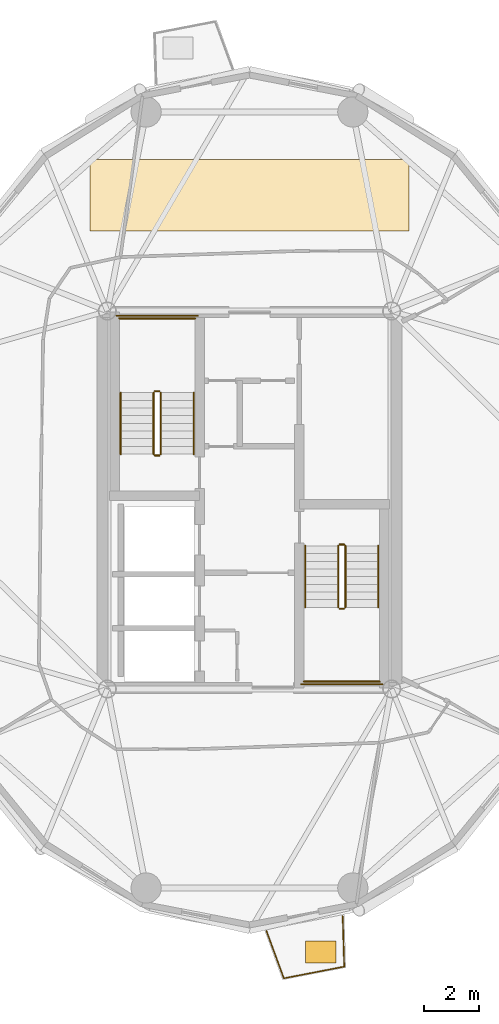
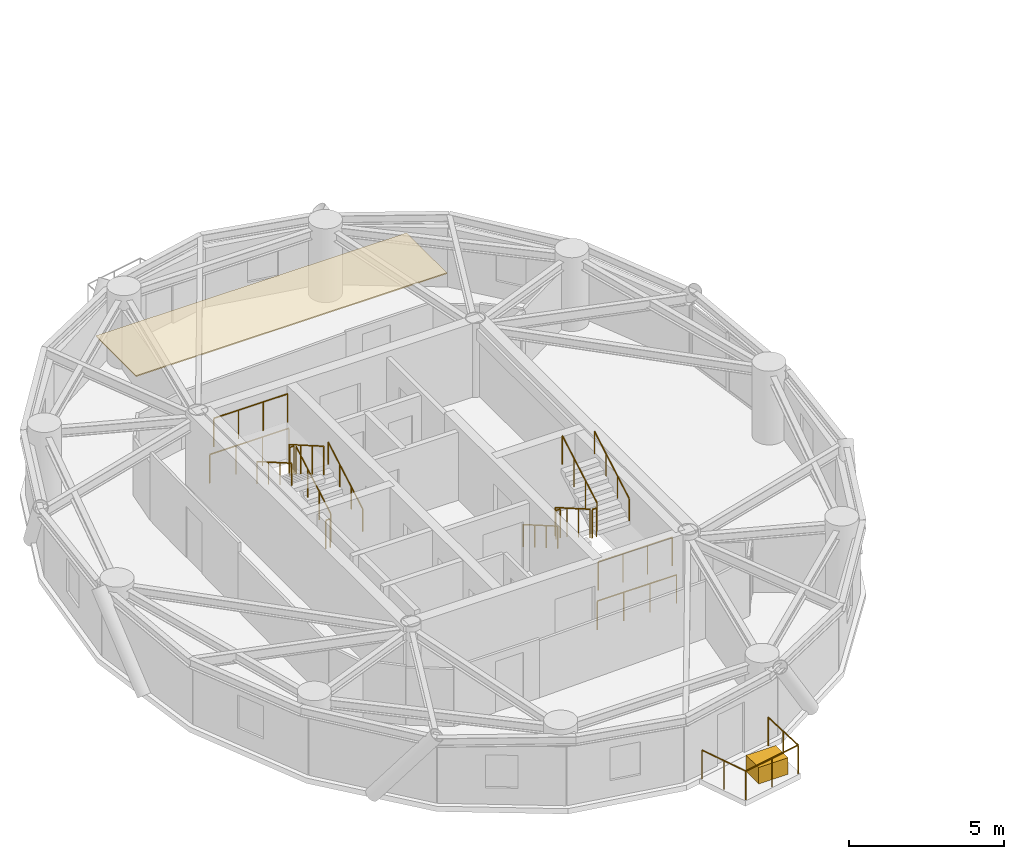
# One storey, part 13 of 15: 17 railings, 2 coverings.
"""IFC4 building model written with IfcOpenShell, lengths in metres."""

from ifc_helpers import new_model, si_unit, direction, frame, origin, origin_2d, place, context, subcontext, project, spatial, polyline, rectangle, circle, outline, extrude, source, transform, mapped, material, layer, layer_set, type_object, element, save


model = new_model("IFC4")

# Units and contexts
model_context = context("Model", 3, precision=1e-05, world=origin(), true_north=direction((0.0, 1.0)))
body_context = subcontext(model_context, "Body", "Model", "MODEL_VIEW")
ifc_project = project(units=[si_unit("LENGTHUNIT", "METRE"), si_unit("AREAUNIT", "SQUARE_METRE"), si_unit("VOLUMEUNIT", "CUBIC_METRE"), si_unit("PLANEANGLEUNIT", "RADIAN"), si_unit("MASSUNIT", "GRAM", prefix="KILO")], contexts=[model_context])

# Site, building, storey
site_placement = place(None, origin())
site = spatial("IfcSite", under=ifc_project, at=site_placement, CompositionType="ELEMENT")
building_placement = place(site_placement, origin())
building = spatial("IfcBuilding", under=site, at=building_placement, Name="Cununo Teusaquillo Station Towers", CompositionType="ELEMENT")
storey_placement = place(building_placement, frame((0.0, 0.0, 199.570068359375)))
storey = spatial("IfcBuildingStorey", under=building, at=storey_placement, Name="L63", CompositionType="ELEMENT", Elevation=199.570068359375)

# Covering
ifc_material_1 = material(Name="Mineral-fibre acoustic suspended ceiling tile", Category="finish")
ifc_layer_1 = layer(ifc_material_1, 0.044921875)
ifc_layer_set_1 = layer_set([ifc_layer_1], Name="Mineral-fibre acoustic suspended ceiling tile")
covering_type_1 = type_object("IfcCoveringType", Name="COV-CEIL-600", PredefinedType="CEILING", material=ifc_layer_set_1)
covering_1_placement = place(storey_placement, frame((0.0, 0.0, 2.655029296875)))
element("IfcCovering", 1, at=covering_1_placement, inside=storey, type_object=covering_type_1, Name="L63 Tower A Acoustic Ceiling", PredefinedType="CEILING", context=body_context, shape_type="SweptSolid", body=[
    extrude(outline(polyline([(22.300048828125, 36.89990234375), (22.300048828125, 34.300048828125), (10.699951171875, 34.300048828125), (10.699951171875, 36.89990234375), (22.300048828125, 36.89990234375)])), origin(), (0.0, 0.0, 1.0), 0.044921875),
])

# Railings
ifc_material_2 = material(Name="Anodised dark bronze aluminium EN AW-6063-T6", Category="aluminium")
railing_type_1 = type_object("IfcRailingType", Name="RL-EXT-GUARD", PredefinedType="GUARDRAIL", material=ifc_material_2)
railing_1_placement = place(storey_placement, frame((19.892578125, 9.356201171875, 0.0)))
element("IfcRailing", 2, at=railing_1_placement, inside=storey, type_object=railing_type_1, Name="L63 Tower A Balcony Guardrail C15", PredefinedType="GUARDRAIL", context=body_context, shape_type="SweptSolid", body=[
    extrude(circle(Radius=0.02392578125, at=origin_2d()), frame((0.0, 0.0, 1.1259765625), z_axis=(0.030305152758, -0.999540693377, 0.0), x_axis=(0.999540693377, 0.030305152758, 0.0)), (0.0, 0.0, 1.0), 1.8447265625),
    extrude(circle(Radius=0.02392578125, at=origin_2d()), frame((0.055908203125, -1.843994140625, 1.1259765625), z_axis=(-0.981834932982, -0.18973709278, 0.0), x_axis=(0.18973709278, -0.981834932982, 0.0)), (0.0, 0.0, 1.0), 2.239013671875),
    extrude(circle(Radius=0.02392578125, at=origin_2d()), frame((-2.142333984375, -2.268798828125, 1.1259765625), z_axis=(-0.344196323776, 0.938897699805, 0.0), x_axis=(-0.938897699805, -0.344196323776, 0.0)), (0.0, 0.0, 1.0), 1.844970703125),
    extrude(circle(Radius=0.02099609375, at=origin_2d()), origin(), (0.0, 0.0, 1.0), 1.101806640625),
    extrude(circle(Radius=0.02099609375, at=origin_2d()), frame((0.02783203125, -0.921875, 0.0)), (0.0, 0.0, 1.0), 1.101806640625),
    extrude(circle(Radius=0.02099609375, at=origin_2d()), frame((0.055908203125, -1.843994140625, 0.0)), (0.0, 0.0, 1.0), 1.101806640625),
    extrude(circle(Radius=0.02099609375, at=origin_2d()), frame((-1.043212890625, -2.056396484375, 0.0)), (0.0, 0.0, 1.0), 1.101806640625),
    extrude(circle(Radius=0.02099609375, at=origin_2d()), frame((-2.142333984375, -2.268798828125, 0.0)), (0.0, 0.0, 1.0), 1.101806640625),
    extrude(circle(Radius=0.02099609375, at=origin_2d()), frame((-2.4599609375, -1.40283203125, 0.0)), (0.0, 0.0, 1.0), 1.101806640625),
    extrude(circle(Radius=0.02099609375, at=origin_2d()), frame((-2.77734375, -0.53662109375, 0.0)), (0.0, 0.0, 1.0), 1.101806640625),
])
ifc_material_3 = material(Name="Steel EN 10025-2 S355J2", Category="steel")
railing_type_2 = type_object("IfcRailingType", Name="RL-INT-GUARD", PredefinedType="GUARDRAIL", material=ifc_material_3)
railing_2_placement = place(storey_placement, frame((13.27001953125, 26.169921875, 0.16162109375)))
element("IfcRailing", 3, at=railing_2_placement, inside=storey, type_object=railing_type_2, Name="L63 ST-T1-1 stair guard 1", PredefinedType="GUARDRAIL", context=body_context, shape_type="SweptSolid", body=[
    extrude(circle(Radius=0.02392578125, at=origin_2d()), frame((0.0, 0.0, 1.1259765625), z_axis=(0.0, 0.866033117094, 0.499986639918), x_axis=(-1.0, 0.0, 0.0)), (0.0, 0.0, 1.0), 2.58642578125),
    extrude(circle(Radius=0.02099609375, at=origin_2d()), origin(), (0.0, 0.0, 1.0), 1.101806640625),
    extrude(circle(Radius=0.02099609375, at=origin_2d()), frame((0.0, 0.74658203125, 0.43115234375)), (0.0, 0.0, 1.0), 1.101806640625),
    extrude(circle(Radius=0.02099609375, at=origin_2d()), frame((0.0, 1.493408203125, 0.862060546875)), (0.0, 0.0, 1.0), 1.101806640625),
    extrude(circle(Radius=0.02099609375, at=origin_2d()), frame((0.0, 2.239990234375, 1.293212890625)), (0.0, 0.0, 1.0), 1.101806640625),
])
railing_3_placement = place(storey_placement, frame((13.219970703125, 28.4599609375, 1.454833984375)))
element("IfcRailing", 4, at=railing_3_placement, inside=storey, type_object=railing_type_2, Name="L63 ST-T1-1 stair guard 2", PredefinedType="GUARDRAIL", context=body_context, shape_type="SweptSolid", body=[
    extrude(circle(Radius=0.02392578125, at=origin_2d()), frame((0.0, 0.0, 1.1259765625), z_axis=(-1.0, 0.0, 0.0), x_axis=(0.0, -1.0, 0.0)), (0.0, 0.0, 1.0), 0.159912109375),
    extrude(circle(Radius=0.02099609375, at=origin_2d()), origin(), (0.0, 0.0, 1.0), 1.101806640625),
    extrude(circle(Radius=0.02099609375, at=origin_2d()), frame((-0.159912109375, 0.0, 0.0)), (0.0, 0.0, 1.0), 1.101806640625),
])
railing_4_placement = place(storey_placement, frame((14.52001953125, 31.110107421875, 1.454833984375)))
element("IfcRailing", 5, at=railing_4_placement, inside=storey, type_object=railing_type_2, Name="L63 ST-T1-1 stair guard 3", PredefinedType="GUARDRAIL", context=body_context, shape_type="SweptSolid", body=[
    extrude(circle(Radius=0.02392578125, at=origin_2d()), frame((0.0, 0.0, 1.1259765625), z_axis=(-1.0, 0.0, 0.0), x_axis=(0.0, -1.0, 0.0)), (0.0, 0.0, 1.0), 2.760009765625),
    extrude(circle(Radius=0.02099609375, at=origin_2d()), origin(), (0.0, 0.0, 1.0), 1.101806640625),
    extrude(circle(Radius=0.02099609375, at=origin_2d()), frame((-0.919921875, 0.0, 0.0)), (0.0, 0.0, 1.0), 1.101806640625),
    extrude(circle(Radius=0.02099609375, at=origin_2d()), frame((-1.840087890625, 0.0, 0.0)), (0.0, 0.0, 1.0), 1.101806640625),
    extrude(circle(Radius=0.02099609375, at=origin_2d()), frame((-2.760009765625, 0.0, 0.0)), (0.0, 0.0, 1.0), 1.101806640625),
])
railing_5_placement = place(storey_placement, frame((13.010009765625, 28.409912109375, 1.61669921875)))
element("IfcRailing", 6, at=railing_5_placement, inside=storey, type_object=railing_type_2, Name="L63 ST-T1-1 stair guard 4", PredefinedType="GUARDRAIL", context=body_context, shape_type="SweptSolid", body=[
    extrude(circle(Radius=0.02392578125, at=origin_2d()), frame((0.0, 0.0, 1.1259765625), z_axis=(0.0, -0.866033117094, 0.499986639918), x_axis=(1.0, 0.0, 0.0)), (0.0, 0.0, 1.0), 2.58642578125),
    extrude(circle(Radius=0.02099609375, at=origin_2d()), origin(), (0.0, 0.0, 1.0), 1.101806640625),
    extrude(circle(Radius=0.02099609375, at=origin_2d()), frame((0.0, -0.74658203125, 0.43115234375)), (0.0, 0.0, 1.0), 1.101806640625),
    extrude(circle(Radius=0.02099609375, at=origin_2d()), frame((0.0, -1.493408203125, 0.862060546875)), (0.0, 0.0, 1.0), 1.101806640625),
    extrude(circle(Radius=0.02099609375, at=origin_2d()), frame((0.0, -2.239990234375, 1.293212890625)), (0.0, 0.0, 1.0), 1.101806640625),
])
railing_6_placement = place(storey_placement, frame((13.219970703125, 26.1201171875, 0.0)))
element("IfcRailing", 7, at=railing_6_placement, inside=storey, type_object=railing_type_2, Name="L63 ST-T1-1 stair guard 5", PredefinedType="GUARDRAIL", context=body_context, shape_type="SweptSolid", body=[
    extrude(circle(Radius=0.02392578125, at=origin_2d()), frame((0.0, 0.0, 1.1259765625), z_axis=(-1.0, 0.0, 0.0), x_axis=(0.0, -1.0, 0.0)), (0.0, 0.0, 1.0), 0.159912109375),
    extrude(circle(Radius=0.02099609375, at=origin_2d()), origin(), (0.0, 0.0, 1.0), 1.101806640625),
    extrude(circle(Radius=0.02099609375, at=origin_2d()), frame((-0.159912109375, 0.0, 0.0)), (0.0, 0.0, 1.0), 1.101806640625),
])
railing_7_placement = place(storey_placement, frame((14.6201171875, 31.2099609375, 0.0)))
element("IfcRailing", 8, at=railing_7_placement, inside=storey, type_object=railing_type_2, Name="L63 ST-T1-1 stair guard 6", PredefinedType="GUARDRAIL", context=body_context, shape_type="SweptSolid", body=[
    extrude(circle(Radius=0.02392578125, at=origin_2d()), frame((0.0, 0.0, 1.1259765625), z_axis=(-1.0, 0.0, 0.0), x_axis=(0.0, -1.0, 0.0)), (0.0, 0.0, 1.0), 2.960205078125),
    extrude(circle(Radius=0.02099609375, at=origin_2d()), origin(), (0.0, 0.0, 1.0), 1.101806640625),
    extrude(circle(Radius=0.02099609375, at=origin_2d()), frame((-0.98681640625, 0.0, 0.0)), (0.0, 0.0, 1.0), 1.101806640625),
    extrude(circle(Radius=0.02099609375, at=origin_2d()), frame((-1.973388671875, 0.0, 0.0)), (0.0, 0.0, 1.0), 1.101806640625),
    extrude(circle(Radius=0.02099609375, at=origin_2d()), frame((-2.960205078125, 0.0, 0.0)), (0.0, 0.0, 1.0), 1.101806640625),
])
railing_8_placement = place(storey_placement, frame((19.72998046875, 22.830078125, 0.16162109375)))
element("IfcRailing", 9, at=railing_8_placement, inside=storey, type_object=railing_type_2, Name="L63 ST-T1-2 stair guard 1", PredefinedType="GUARDRAIL", context=body_context, shape_type="SweptSolid", body=[
    extrude(circle(Radius=0.02392578125, at=origin_2d()), frame((0.0, 0.0, 1.1259765625), z_axis=(0.0, -0.866033117094, 0.499986639918), x_axis=(1.0, 0.0, 0.0)), (0.0, 0.0, 1.0), 2.58642578125),
    extrude(circle(Radius=0.02099609375, at=origin_2d()), origin(), (0.0, 0.0, 1.0), 1.101806640625),
    extrude(circle(Radius=0.02099609375, at=origin_2d()), frame((0.0, -0.74658203125, 0.43115234375)), (0.0, 0.0, 1.0), 1.101806640625),
    extrude(circle(Radius=0.02099609375, at=origin_2d()), frame((0.0, -1.493408203125, 0.862060546875)), (0.0, 0.0, 1.0), 1.101806640625),
    extrude(circle(Radius=0.02099609375, at=origin_2d()), frame((0.0, -2.239990234375, 1.293212890625)), (0.0, 0.0, 1.0), 1.101806640625),
])
railing_9_placement = place(storey_placement, frame((19.780029296875, 20.5400390625, 1.454833984375)))
element("IfcRailing", 10, at=railing_9_placement, inside=storey, type_object=railing_type_2, Name="L63 ST-T1-2 stair guard 2", PredefinedType="GUARDRAIL", context=body_context, shape_type="SweptSolid", body=[
    extrude(circle(Radius=0.02392578125, at=origin_2d()), frame((0.0, 0.0, 1.1259765625), z_axis=(1.0, 0.0, 0.0), x_axis=(0.0, 1.0, 0.0)), (0.0, 0.0, 1.0), 0.159912109375),
    extrude(circle(Radius=0.02099609375, at=origin_2d()), origin(), (0.0, 0.0, 1.0), 1.101806640625),
    extrude(circle(Radius=0.02099609375, at=origin_2d()), frame((0.159912109375, 0.0, 0.0)), (0.0, 0.0, 1.0), 1.101806640625),
])
railing_10_placement = place(storey_placement, frame((18.47998046875, 17.889892578125, 1.454833984375)))
element("IfcRailing", 11, at=railing_10_placement, inside=storey, type_object=railing_type_2, Name="L63 ST-T1-2 stair guard 3", PredefinedType="GUARDRAIL", context=body_context, shape_type="SweptSolid", body=[
    extrude(circle(Radius=0.02392578125, at=origin_2d()), frame((0.0, 0.0, 1.1259765625), z_axis=(1.0, 0.0, 0.0), x_axis=(0.0, 1.0, 0.0)), (0.0, 0.0, 1.0), 2.760009765625),
    extrude(circle(Radius=0.02099609375, at=origin_2d()), origin(), (0.0, 0.0, 1.0), 1.101806640625),
    extrude(circle(Radius=0.02099609375, at=origin_2d()), frame((0.919921875, 0.0, 0.0)), (0.0, 0.0, 1.0), 1.101806640625),
    extrude(circle(Radius=0.02099609375, at=origin_2d()), frame((1.840087890625, 0.0, 0.0)), (0.0, 0.0, 1.0), 1.101806640625),
    extrude(circle(Radius=0.02099609375, at=origin_2d()), frame((2.760009765625, 0.0, 0.0)), (0.0, 0.0, 1.0), 1.101806640625),
])
railing_11_placement = place(storey_placement, frame((19.989990234375, 20.590087890625, 1.61669921875)))
element("IfcRailing", 12, at=railing_11_placement, inside=storey, type_object=railing_type_2, Name="L63 ST-T1-2 stair guard 4", PredefinedType="GUARDRAIL", context=body_context, shape_type="SweptSolid", body=[
    extrude(circle(Radius=0.02392578125, at=origin_2d()), frame((0.0, 0.0, 1.1259765625), z_axis=(0.0, 0.866033117094, 0.499986639918), x_axis=(-1.0, 0.0, 0.0)), (0.0, 0.0, 1.0), 2.58642578125),
    extrude(circle(Radius=0.02099609375, at=origin_2d()), origin(), (0.0, 0.0, 1.0), 1.101806640625),
    extrude(circle(Radius=0.02099609375, at=origin_2d()), frame((0.0, 0.74658203125, 0.43115234375)), (0.0, 0.0, 1.0), 1.101806640625),
    extrude(circle(Radius=0.02099609375, at=origin_2d()), frame((0.0, 1.493408203125, 0.862060546875)), (0.0, 0.0, 1.0), 1.101806640625),
    extrude(circle(Radius=0.02099609375, at=origin_2d()), frame((0.0, 2.239990234375, 1.293212890625)), (0.0, 0.0, 1.0), 1.101806640625),
])
railing_12_placement = place(storey_placement, frame((19.780029296875, 22.8798828125, 0.0)))
element("IfcRailing", 13, at=railing_12_placement, inside=storey, type_object=railing_type_2, Name="L63 ST-T1-2 stair guard 5", PredefinedType="GUARDRAIL", context=body_context, shape_type="SweptSolid", body=[
    extrude(circle(Radius=0.02392578125, at=origin_2d()), frame((0.0, 0.0, 1.1259765625), z_axis=(1.0, 0.0, 0.0), x_axis=(0.0, 1.0, 0.0)), (0.0, 0.0, 1.0), 0.159912109375),
    extrude(circle(Radius=0.02099609375, at=origin_2d()), origin(), (0.0, 0.0, 1.0), 1.101806640625),
    extrude(circle(Radius=0.02099609375, at=origin_2d()), frame((0.159912109375, 0.0, 0.0)), (0.0, 0.0, 1.0), 1.101806640625),
])
railing_13_placement = place(storey_placement, frame((18.3798828125, 17.7900390625, 0.0)))
element("IfcRailing", 14, at=railing_13_placement, inside=storey, type_object=railing_type_2, Name="L63 ST-T1-2 stair guard 6", PredefinedType="GUARDRAIL", context=body_context, shape_type="SweptSolid", body=[
    extrude(circle(Radius=0.02392578125, at=origin_2d()), frame((0.0, 0.0, 1.1259765625), z_axis=(1.0, 0.0, 0.0), x_axis=(0.0, 1.0, 0.0)), (0.0, 0.0, 1.0), 2.960205078125),
    extrude(circle(Radius=0.02099609375, at=origin_2d()), origin(), (0.0, 0.0, 1.0), 1.101806640625),
    extrude(circle(Radius=0.02099609375, at=origin_2d()), frame((0.98681640625, 0.0, 0.0)), (0.0, 0.0, 1.0), 1.101806640625),
    extrude(circle(Radius=0.02099609375, at=origin_2d()), frame((1.973388671875, 0.0, 0.0)), (0.0, 0.0, 1.0), 1.101806640625),
    extrude(circle(Radius=0.02099609375, at=origin_2d()), frame((2.960205078125, 0.0, 0.0)), (0.0, 0.0, 1.0), 1.101806640625),
])
ifc_material_4 = material(Name="Steel EN 10025-2 S355J2", Category="steel")
railing_type_3 = type_object("IfcRailingType", Name="RL-INT-HRAIL", PredefinedType="HANDRAIL", material=ifc_material_4)
railing_14_placement = place(storey_placement, frame((14.469970703125, 26.169921875, 0.16162109375)))
element("IfcRailing", 15, at=railing_14_placement, inside=storey, type_object=railing_type_3, Name="L63 ST-T1-1 stair handrail 1", PredefinedType="HANDRAIL", context=body_context, shape_type="SweptSolid", body=[
    extrude(circle(Radius=0.02392578125, at=origin_2d()), frame((0.0, 0.0, 0.8759765625), z_axis=(0.0, 0.866033117094, 0.499986639918), x_axis=(-1.0, 0.0, 0.0)), (0.0, 0.0, 1.0), 2.58642578125),
    extrude(circle(Radius=0.02099609375, at=origin_2d()), origin(), (0.0, 0.0, 1.0), 0.851806640625),
    extrude(circle(Radius=0.02099609375, at=origin_2d()), frame((0.0, 0.74658203125, 0.43115234375)), (0.0, 0.0, 1.0), 0.851806640625),
    extrude(circle(Radius=0.02099609375, at=origin_2d()), frame((0.0, 1.493408203125, 0.862060546875)), (0.0, 0.0, 1.0), 0.851806640625),
    extrude(circle(Radius=0.02099609375, at=origin_2d()), frame((0.0, 2.239990234375, 1.293212890625)), (0.0, 0.0, 1.0), 0.851806640625),
])
for number, where, name in (
    (16, (11.81005859375, 28.409912109375, 1.61669921875), "L63 ST-T1-1 stair handrail 2"),
    (17, (18.530029296875, 22.830078125, 0.16162109375), "L63 ST-T1-2 stair handrail 1"),
):
    element("IfcRailing", number, at=place(storey_placement, frame(where)), inside=storey, type_object=railing_type_3, Name=name, PredefinedType="HANDRAIL", context=body_context, shape_type="SweptSolid", body=[
        extrude(circle(Radius=0.02392578125, at=origin_2d()), frame((0.0, 0.0, 0.8759765625), z_axis=(0.0, -0.866033117094, 0.499986639918), x_axis=(1.0, 0.0, 0.0)), (0.0, 0.0, 1.0), 2.58642578125),
        extrude(circle(Radius=0.02099609375, at=origin_2d()), origin(), (0.0, 0.0, 1.0), 0.851806640625),
        extrude(circle(Radius=0.02099609375, at=origin_2d()), frame((0.0, -0.74658203125, 0.43115234375)), (0.0, 0.0, 1.0), 0.851806640625),
        extrude(circle(Radius=0.02099609375, at=origin_2d()), frame((0.0, -1.493408203125, 0.862060546875)), (0.0, 0.0, 1.0), 0.851806640625),
        extrude(circle(Radius=0.02099609375, at=origin_2d()), frame((0.0, -2.239990234375, 1.293212890625)), (0.0, 0.0, 1.0), 0.851806640625),
    ])
railing_15_placement = place(storey_placement, frame((21.18994140625, 20.590087890625, 1.61669921875)))
element("IfcRailing", 18, at=railing_15_placement, inside=storey, type_object=railing_type_3, Name="L63 ST-T1-2 stair handrail 2", PredefinedType="HANDRAIL", context=body_context, shape_type="SweptSolid", body=[
    extrude(circle(Radius=0.02392578125, at=origin_2d()), frame((0.0, 0.0, 0.8759765625), z_axis=(0.0, 0.866033117094, 0.499986639918), x_axis=(-1.0, 0.0, 0.0)), (0.0, 0.0, 1.0), 2.58642578125),
    extrude(circle(Radius=0.02099609375, at=origin_2d()), origin(), (0.0, 0.0, 1.0), 0.851806640625),
    extrude(circle(Radius=0.02099609375, at=origin_2d()), frame((0.0, 0.74658203125, 0.43115234375)), (0.0, 0.0, 1.0), 0.851806640625),
    extrude(circle(Radius=0.02099609375, at=origin_2d()), frame((0.0, 1.493408203125, 0.862060546875)), (0.0, 0.0, 1.0), 0.851806640625),
    extrude(circle(Radius=0.02099609375, at=origin_2d()), frame((0.0, 2.239990234375, 1.293212890625)), (0.0, 0.0, 1.0), 0.851806640625),
])

# Covering
ifc_material_5 = material(Name="Architectural GRC planter shell and engineered root-zone substrate", Category="concrete")
ifc_layer_2 = layer(ifc_material_5, 0.64990234375)
ifc_layer_set_2 = layer_set([ifc_layer_2], Name="Architectural GRC planter shell and engineered root-zone substrate")
covering_type_2 = type_object("IfcCoveringType", Name="COV-TREE-PLANTER", PredefinedType="CLADDING", material=ifc_layer_set_2)
shared_shape = source(origin(), body_context, "Body", "SweptSolid", [
    extrude(rectangle(XDim=1.10009765625, YDim=0.800048828125, at=origin_2d()), origin(), (0.0, 0.0, 1.0), 0.64990234375),
])
covering_2_placement = place(storey_placement, frame((19.097900390625, 8.04345703125, 0.0), z_axis=(0.0, 0.0, 1.0), x_axis=(1.0, 0.0, 0.0)))
element("IfcCovering", 19, at=covering_2_placement, inside=storey, type_object=covering_type_2, Name="L63 Tower A Balcony Tree PLANTER C15", PredefinedType="CLADDING", context=body_context, shape_type="MappedRepresentation", body=[
    mapped(shared_shape, transform((0.0, 0.0, 0.0), x_axis=(1.0, 0.0, 0.0), y_axis=(0.0, 1.0, 0.0), z_axis=(0.0, 0.0, 1.0), scale=1.0)),
])

save(model, "model.ifc")
